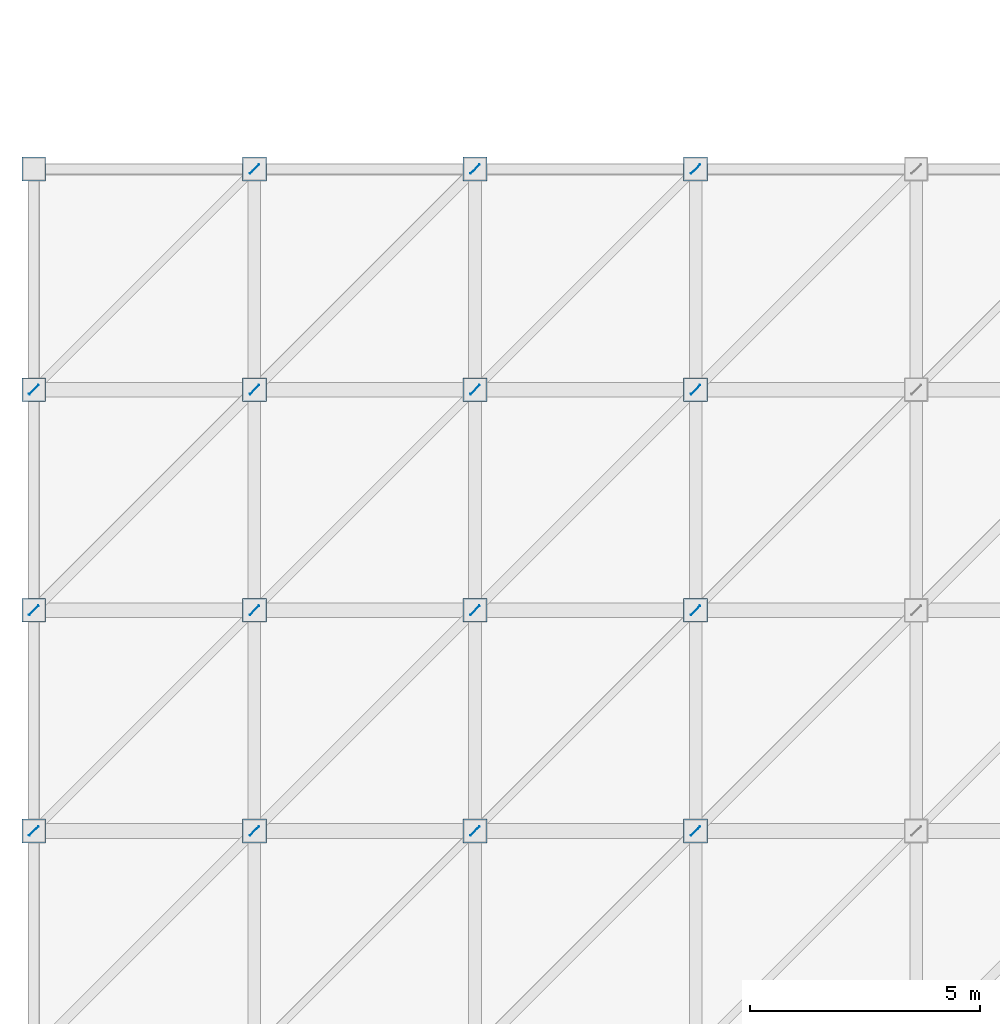
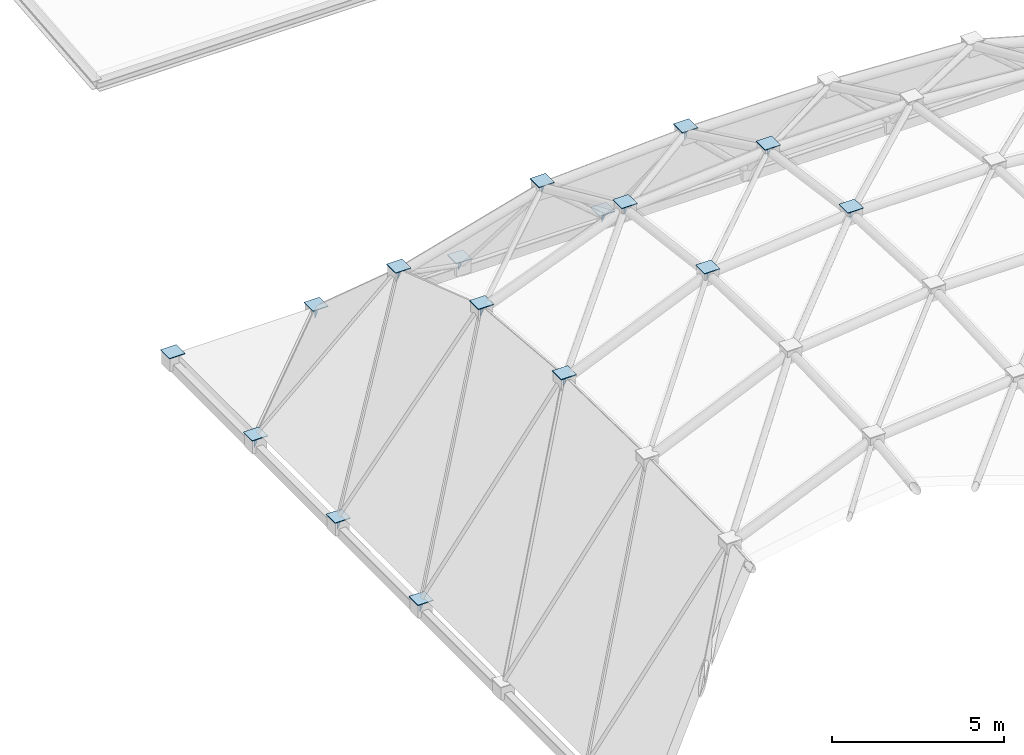
# One storey, part 53 of 70: 31 plates.
"""IFC4 building model written with IfcOpenShell, lengths in metres."""

from ifc_helpers import new_model, si_unit, direction, frame, origin, origin_2d, place, context, subcontext, project, spatial, rectangle, extrude, material, layer, layer_set, type_object, element, save


model = new_model("IFC4")

# Units and contexts
model_context = context("Model", 3, precision=1e-05, world=origin(), true_north=direction((0.0, 1.0)))
body_context = subcontext(model_context, "Body", "Model", "MODEL_VIEW")
ifc_project = project(units=[si_unit("LENGTHUNIT", "METRE"), si_unit("AREAUNIT", "SQUARE_METRE"), si_unit("VOLUMEUNIT", "CUBIC_METRE"), si_unit("PLANEANGLEUNIT", "RADIAN"), si_unit("MASSUNIT", "GRAM", prefix="KILO")], contexts=[model_context])

# Site, building, storey
site_placement = place(None, origin())
site = spatial("IfcSite", under=ifc_project, at=site_placement, CompositionType="ELEMENT")
building_placement = place(site_placement, origin())
building = spatial("IfcBuilding", under=site, at=building_placement, Name="Mavantir Sound Aquarium", CompositionType="ELEMENT")
storey_placement = place(building_placement, frame((0.0, 0.0, 27.0)))
storey = spatial("IfcBuildingStorey", under=building, at=storey_placement, Name="RF", CompositionType="ELEMENT", Elevation=27.0)

# Plates
ifc_material = material(Name="Structural Steel ASTM A572 Gr50", Category="steel")
ifc_layer_1 = layer(ifc_material, 0.01611328125, Name="Structural Steel ASTM A572 Gr50")
ifc_layer_set_1 = layer_set([ifc_layer_1], Name="Structural Steel ASTM A572 Gr50")
plate_type_1 = type_object("IfcPlateType", Name="PLT-GUSSET-16", PredefinedType="SHEET", material=ifc_layer_set_1)
for number, where, z_axis, x_axis, name in (
    (1, (4.800048828125, 64.800048828125, -1.03173828125), (0.0, 0.0, 1.0), (0.707106781187, 0.707106781187, 0.0), "Brace end gusset plate GP-01 10"),
    (2, (0.0, 64.800048828125, -7.33984375), (0.0, 0.0, 1.0), (0.707106781187, 0.707106781187, 0.0), "Brace end gusset plate GP-01 11"),
    (3, (4.800048828125, 69.60009765625, -1.45556640625), (0.0, 0.0, 1.0), (0.707106781187, 0.707106781187, 0.0), "Brace end gusset plate GP-01 12"),
    (4, (0.0, 69.60009765625, -7.33984375), (0.0, 0.0, 1.0), (0.707106781187, 0.707106781187, 0.0), "Brace end gusset plate GP-01 13"),
    (5, (4.800048828125, 74.39990234375, -3.07861328125), (0.0, 0.0, 1.0), (0.707106781187, 0.707106781187, 0.0), "Brace end gusset plate GP-01 14"),
    (6, (0.0, 74.39990234375, -7.33984375), (0.0, 0.0, 1.0), (0.707106781187, 0.707106781187, 0.0), "Brace end gusset plate GP-01 15"),
    (7, (4.800048828125, 79.199951171875, -7.33984375), (0.0, 0.0, 1.0), (0.707106781187, 0.707106781187, 0.0), "Brace end gusset plate GP-01 16"),
    (8, (9.60009765625, 64.800048828125, 1.0341796875), (0.0, 0.0, 1.0), (0.707106781187, 0.707106781187, 0.0), "Brace end gusset plate GP-01 22"),
    (9, (9.60009765625, 69.60009765625, 0.43603515625), (0.0, 0.0, 1.0), (0.707106781187, 0.707106781187, 0.0), "Brace end gusset plate GP-01 23"),
    (10, (9.60009765625, 74.39990234375, -1.72900390625), (0.0, 0.0, 1.0), (0.707106781187, 0.707106781187, 0.0), "Brace end gusset plate GP-01 24"),
    (11, (9.60009765625, 79.199951171875, -7.33984375), (0.0, 0.0, 1.0), (0.707106781187, 0.707106781187, 0.0), "Brace end gusset plate GP-01 25"),
    (12, (14.39990234375, 64.800048828125, 1.50244140625), (0.0, 0.0, 1.0), (0.707106781187, 0.707106781187, 0.0), "Brace end gusset plate GP-01 31"),
    (13, (14.39990234375, 69.60009765625, 0.82373046875), (0.0, 0.0, 1.0), (0.707106781187, 0.707106781187, 0.0), "Brace end gusset plate GP-01 32"),
    (14, (14.39990234375, 74.39990234375, -1.4755859375), (0.0, 0.0, 1.0), (0.707106781187, 0.707106781187, 0.0), "Brace end gusset plate GP-01 33"),
    (15, (14.39990234375, 79.199951171875, -7.33984375), (0.0, 0.0, 1.0), (0.707106781187, 0.707106781187, 0.0), "Brace end gusset plate GP-01 34"),
):
    element("IfcPlate", number, at=place(storey_placement, frame(where, z_axis=z_axis, x_axis=x_axis)), inside=storey, type_object=plate_type_1, Name=name, PredefinedType="SHEET", context=body_context, shape_type="SweptSolid", body=[
        extrude(rectangle(XDim=0.280029296875, YDim=0.01611328125, at=origin_2d()), origin(), (0.0, 0.0, 1.0), 0.280029296875),
    ])
ifc_layer_2 = layer(ifc_material, 0.02490234375, Name="Structural Steel ASTM A572 Gr50")
ifc_layer_set_2 = layer_set([ifc_layer_2], Name="Structural Steel ASTM A572 Gr50")
plate_type_2 = type_object("IfcPlateType", Name="PLT-NODE-25", PredefinedType="SHEET", material=ifc_layer_set_2)
for number, where, z_axis, x_axis, name in (
    (16, (0.0, 64.800048828125, -6.972412109375), (0.0, 0.0, 1.0), (1.0, 0.0, 0.0), "Gridshell steel node cap plate NP-06"),
    (17, (0.0, 69.60009765625, -6.972412109375), (0.0, 0.0, 1.0), (1.0, 0.0, 0.0), "Gridshell steel node cap plate NP-07"),
    (18, (0.0, 74.39990234375, -6.972412109375), (0.0, 0.0, 1.0), (1.0, 0.0, 0.0), "Gridshell steel node cap plate NP-08"),
    (19, (0.0, 79.199951171875, -6.972412109375), (0.0, 0.0, 1.0), (1.0, 0.0, 0.0), "Gridshell steel node cap plate NP-09"),
    (20, (4.800048828125, 64.800048828125, -0.6640625), (0.0, 0.0, 1.0), (1.0, 0.0, 0.0), "Gridshell steel node cap plate NP-15"),
    (21, (4.800048828125, 69.60009765625, -1.088134765625), (0.0, 0.0, 1.0), (1.0, 0.0, 0.0), "Gridshell steel node cap plate NP-16"),
    (22, (4.800048828125, 74.39990234375, -2.711181640625), (0.0, 0.0, 1.0), (1.0, 0.0, 0.0), "Gridshell steel node cap plate NP-17"),
    (23, (4.800048828125, 79.199951171875, -6.972412109375), (0.0, 0.0, 1.0), (1.0, 0.0, 0.0), "Gridshell steel node cap plate NP-18"),
    (24, (9.60009765625, 64.800048828125, 1.40185546875), (0.0, 0.0, 1.0), (1.0, 0.0, 0.0), "Gridshell steel node cap plate NP-24"),
    (25, (9.60009765625, 69.60009765625, 0.803466796875), (0.0, 0.0, 1.0), (1.0, 0.0, 0.0), "Gridshell steel node cap plate NP-25"),
    (26, (9.60009765625, 74.39990234375, -1.361572265625), (0.0, 0.0, 1.0), (1.0, 0.0, 0.0), "Gridshell steel node cap plate NP-26"),
    (27, (9.60009765625, 79.199951171875, -6.972412109375), (0.0, 0.0, 1.0), (1.0, 0.0, 0.0), "Gridshell steel node cap plate NP-27"),
    (28, (14.39990234375, 64.800048828125, 1.870361328125), (0.0, 0.0, 1.0), (1.0, 0.0, 0.0), "Gridshell steel node cap plate NP-33"),
    (29, (14.39990234375, 69.60009765625, 1.191162109375), (0.0, 0.0, 1.0), (1.0, 0.0, 0.0), "Gridshell steel node cap plate NP-34"),
    (30, (14.39990234375, 74.39990234375, -1.108154296875), (0.0, 0.0, 1.0), (1.0, 0.0, 0.0), "Gridshell steel node cap plate NP-35"),
    (31, (14.39990234375, 79.199951171875, -6.972412109375), (0.0, 0.0, 1.0), (1.0, 0.0, 0.0), "Gridshell steel node cap plate NP-36"),
):
    element("IfcPlate", number, at=place(storey_placement, frame(where, z_axis=z_axis, x_axis=x_axis)), inside=storey, type_object=plate_type_2, Name=name, PredefinedType="SHEET", context=body_context, shape_type="SweptSolid", body=[
        extrude(rectangle(XDim=0.52001953125, YDim=0.52001953125, at=origin_2d()), origin(), (0.0, 0.0, 1.0), 0.02490234375),
    ])

save(model, "model.ifc")
